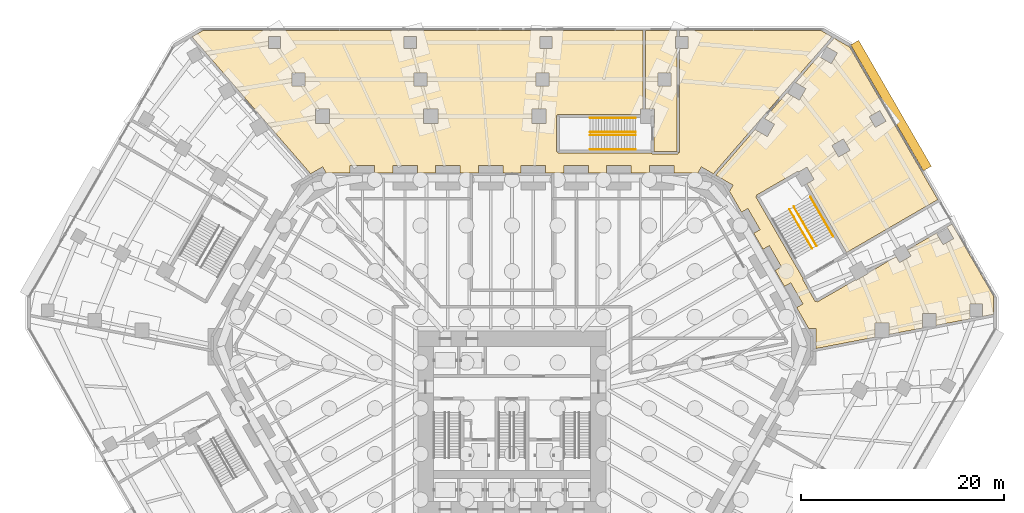
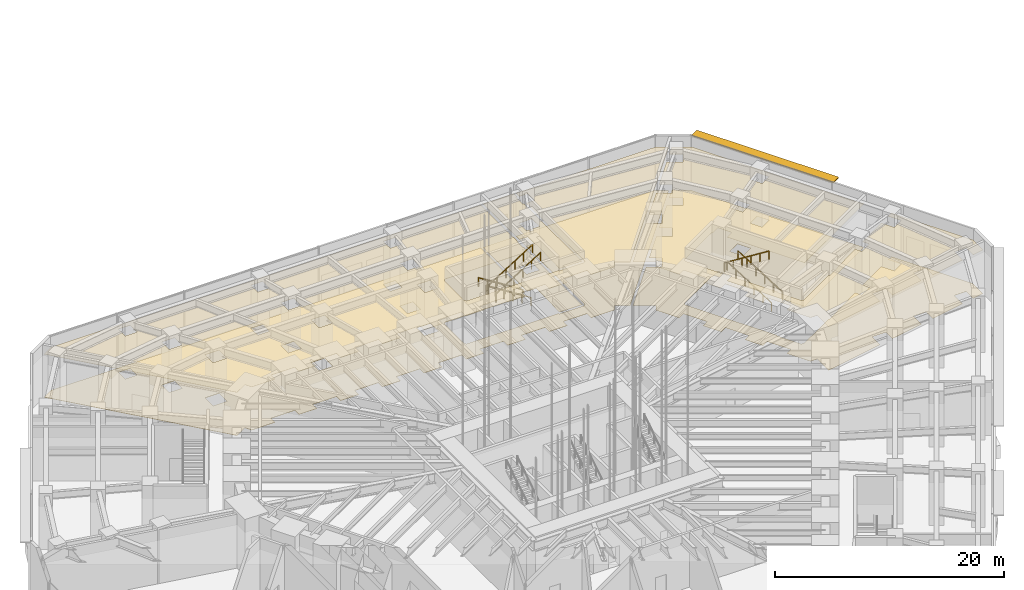
# One storey, part 28 of 34: 7 railings, 6 coverings, 1 shading device.
"""IFC4 building model written with IfcOpenShell, lengths in metres."""

from ifc_helpers import new_model, si_unit, direction, frame, origin, origin_2d, place, context, subcontext, project, spatial, polyline, rectangle, circle, outline, extrude, material, layer, layer_set, type_object, element, save


model = new_model("IFC4")

# Units and contexts
model_context = context("Model", 3, precision=1e-05, world=origin(), true_north=direction((0.0, 1.0)))
body_context = subcontext(model_context, "Body", "Model", "MODEL_VIEW")
ifc_project = project(units=[si_unit("LENGTHUNIT", "METRE"), si_unit("AREAUNIT", "SQUARE_METRE"), si_unit("VOLUMEUNIT", "CUBIC_METRE"), si_unit("PLANEANGLEUNIT", "RADIAN"), si_unit("MASSUNIT", "GRAM", prefix="KILO")], contexts=[model_context])

# Site, building, storey
site_placement = place(None, origin())
site = spatial("IfcSite", under=ifc_project, at=site_placement, CompositionType="ELEMENT")
building_placement = place(site_placement, origin())
building = spatial("IfcBuilding", under=site, at=building_placement, Name="Sandreach Pilgrim Tower", CompositionType="ELEMENT")
storey_placement = place(building_placement, origin())
storey = spatial("IfcBuildingStorey", under=building, at=storey_placement, Name="L00", CompositionType="ELEMENT", Elevation=0.0)

# Coverings
ifc_material_1 = material(Name="Nylon carpet tile on the slab", Category="textile")
ifc_layer_1 = layer(ifc_material_1, 0.008056640625)
ifc_layer_set_1 = layer_set([ifc_layer_1], Name="Carpet tile")
covering_type_1 = type_object("IfcCoveringType", Name="Carpet tile", PredefinedType="FLOORING", material=ifc_layer_set_1)
covering_1_placement = place(storey_placement, origin())
element("IfcCovering", 1, at=covering_1_placement, inside=storey, type_object=covering_type_1, Name="Floor finish 0002 Pilgrim services hall", PredefinedType="FLOORING", context=body_context, shape_type="SweptSolid", body=[
    extrude(outline(polyline([(24.034912109375, 20.7919921875), (28.6865234375, 12.7353515625), (28.621337890625, 12.698486328125), (29.861328125, 10.50830078125), (29.969970703125, 10.570068359375), (30.032470703125, 10.461669921875), (33.833251953125, 12.65625), (33.872802734375, 12.587646484375), (35.085205078125, 13.28759765625), (35.0732421875, 13.30859375), (37.81396484375, 14.954833984375), (38.16259765625, 14.35107421875), (39.288330078125, 15.0009765625), (38.939697265625, 15.60498046875), (41.794677734375, 17.25341796875), (42.4521484375, 16.114501953125), (43.491455078125, 16.71435546875), (42.833740234375, 17.853271484375), (43.327392578125, 18.138427734375), (47.43359375, 11.026123046875), (47.43359375, 9.259521484375), (46.320068359375, 9.044677734375), (46.320068359375, 10.2529296875), (45.1201171875, 10.2529296875), (45.1201171875, 8.81298828125), (41.731689453125, 8.159423828125), (41.731689453125, 9.32373046875), (40.431640625, 9.32373046875), (40.431640625, 7.90869140625), (37.143310546875, 7.274169921875), (37.143310546875, 8.394287109375), (35.743408203125, 8.394287109375), (35.743408203125, 7.004150390625), (29.91259765625, 5.879150390625), (29.91259765625, 7.862060546875), (29.220947265625, 7.862060546875), (28.03076171875, 9.92236328125), (28.6494140625, 10.279541015625), (27.449462890625, 12.358154296875), (26.830078125, 12.00048828125), (25.91845703125, 13.578369140625), (26.538330078125, 13.936279296875), (25.338134765625, 16.0146484375), (24.718017578125, 15.656494140625), (23.806396484375, 17.234375), (24.427001953125, 17.5927734375), (23.22705078125, 19.67138671875), (22.605712890625, 19.3125), (21.416748046875, 21.37060546875), (21.76513671875, 21.97412109375), (20.049560546875, 22.96435546875), (23.93603515625, 27.453369140625), (25.141357421875, 26.75732421875), (25.84130859375, 27.969970703125), (24.869140625, 28.53125), (27.06103515625, 31.06298828125), (28.29052734375, 30.35302734375), (28.9404296875, 31.478759765625), (27.927490234375, 32.063720703125), (30.185791015625, 34.67236328125), (31.439453125, 33.94873046875), (32.039306640625, 34.98779296875), (30.98583984375, 35.59619140625), (31.72802734375, 36.45361328125), (33.24853515625, 35.57568359375), (41.932373046875, 20.5546875), (32.953857421875, 15.343994140625), (29.0419921875, 22.11962890625), (29.750244140625, 22.528564453125), (29.050048828125, 23.740966796875), (28.298583984375, 23.30712890625), (28.16015625, 23.346923828125), (24.08984375, 20.996826171875), (24.034912109375, 20.7919921875)]), holes=[polyline([(36.220703125, 29.307373046875), (35.181640625, 28.70751953125), (35.781494140625, 27.668212890625), (36.82080078125, 28.268310546875), (36.220703125, 29.307373046875)]), polyline([(32.635498046875, 26.524169921875), (31.509521484375, 25.874267578125), (32.15966796875, 24.748291015625), (33.285400390625, 25.3984375), (32.635498046875, 26.524169921875)])]), origin(), (0.0, 0.0, 1.0), 0.008056640625),
])
covering_2_placement = place(storey_placement, origin())
element("IfcCovering", 2, at=covering_2_placement, inside=storey, type_object=covering_type_1, Name="Floor finish 00E7 Stair ST7 exit passageway", PredefinedType="FLOORING", context=body_context, shape_type="SweptSolid", body=[
    extrude(outline(polyline([(14.017578125, 28.05078125), (14.036865234375, 28.05078125), (14.036865234375, 29.450927734375), (13.135009765625, 29.450927734375), (13.135009765625, 37.195556640625), (16.22509765625, 37.195556640625), (16.22509765625, 36.62548828125), (16.111328125, 36.62548828125), (16.111328125, 35.425537109375), (16.22509765625, 35.425537109375), (16.22509765625, 25.304931640625), (13.979736328125, 25.304931640625), (14.017578125, 28.05078125)]), holes=[polyline([(14.374267578125, 33.0380859375), (14.374267578125, 31.73828125), (15.674072265625, 31.73828125), (15.674072265625, 33.0380859375), (14.374267578125, 33.0380859375)])]), origin(), (0.0, 0.0, 1.0), 0.008056640625),
])
ifc_material_2 = material(Name="Gypsum board suspended ceiling on a steel grid", Category="steel")
ifc_layer_2 = layer(ifc_material_2, 0.012939453125)
ifc_layer_set_2 = layer_set([ifc_layer_2], Name="Gypsum board suspended ceiling")
covering_type_2 = type_object("IfcCoveringType", Name="Gypsum board suspended ceiling", PredefinedType="CEILING", material=ifc_layer_set_2)
covering_3_placement = place(storey_placement, frame((0.0, 0.0, 4.64990234375)))
element("IfcCovering", 3, at=covering_3_placement, inside=storey, type_object=covering_type_2, Name="Ceiling 0002 Pilgrim services hall", PredefinedType="CEILING", context=body_context, shape_type="SweptSolid", body=[
    extrude(outline(polyline([(24.034912109375, 20.7919921875), (28.6865234375, 12.7353515625), (28.621337890625, 12.698486328125), (29.861328125, 10.50830078125), (29.969970703125, 10.570068359375), (30.032470703125, 10.461669921875), (33.833251953125, 12.65625), (33.872802734375, 12.587646484375), (35.085205078125, 13.28759765625), (35.0732421875, 13.30859375), (37.81396484375, 14.954833984375), (38.16259765625, 14.35107421875), (39.288330078125, 15.0009765625), (38.939697265625, 15.60498046875), (41.794677734375, 17.25341796875), (42.4521484375, 16.114501953125), (43.491455078125, 16.71435546875), (42.833740234375, 17.853271484375), (43.327392578125, 18.138427734375), (47.43359375, 11.026123046875), (47.43359375, 9.259521484375), (46.320068359375, 9.044677734375), (46.320068359375, 10.2529296875), (45.1201171875, 10.2529296875), (45.1201171875, 8.81298828125), (41.731689453125, 8.159423828125), (41.731689453125, 9.32373046875), (40.431640625, 9.32373046875), (40.431640625, 7.90869140625), (37.143310546875, 7.274169921875), (37.143310546875, 8.394287109375), (35.743408203125, 8.394287109375), (35.743408203125, 7.004150390625), (29.91259765625, 5.879150390625), (29.91259765625, 7.862060546875), (29.220947265625, 7.862060546875), (28.03076171875, 9.92236328125), (28.6494140625, 10.279541015625), (27.449462890625, 12.358154296875), (26.830078125, 12.00048828125), (25.91845703125, 13.578369140625), (26.538330078125, 13.936279296875), (25.338134765625, 16.0146484375), (24.718017578125, 15.656494140625), (23.806396484375, 17.234375), (24.427001953125, 17.5927734375), (23.22705078125, 19.67138671875), (22.605712890625, 19.3125), (21.416748046875, 21.37060546875), (21.76513671875, 21.97412109375), (20.049560546875, 22.96435546875), (23.93603515625, 27.453369140625), (25.141357421875, 26.75732421875), (25.84130859375, 27.969970703125), (24.869140625, 28.53125), (27.06103515625, 31.06298828125), (28.29052734375, 30.35302734375), (28.9404296875, 31.478759765625), (27.927490234375, 32.063720703125), (30.185791015625, 34.67236328125), (31.439453125, 33.94873046875), (32.039306640625, 34.98779296875), (30.98583984375, 35.59619140625), (31.72802734375, 36.45361328125), (33.24853515625, 35.57568359375), (41.932373046875, 20.5546875), (32.953857421875, 15.343994140625), (29.0419921875, 22.11962890625), (29.750244140625, 22.528564453125), (29.050048828125, 23.740966796875), (28.298583984375, 23.30712890625), (28.16015625, 23.346923828125), (24.08984375, 20.996826171875), (24.034912109375, 20.7919921875)]), holes=[polyline([(36.82080078125, 28.268310546875), (36.220703125, 29.307373046875), (35.181640625, 28.70751953125), (35.781494140625, 27.668212890625), (36.82080078125, 28.268310546875)]), polyline([(33.285400390625, 25.3984375), (32.635498046875, 26.524169921875), (31.509521484375, 25.874267578125), (32.15966796875, 24.748291015625), (33.285400390625, 25.3984375)])]), origin(), (0.0, 0.0, 1.0), 0.01318359375),
])
covering_4_placement = place(storey_placement, frame((0.0, 0.0, 4.64990234375)))
element("IfcCovering", 4, at=covering_4_placement, inside=storey, type_object=covering_type_2, Name="Ceiling 00E7 Stair ST7 exit passageway", PredefinedType="CEILING", context=body_context, shape_type="SweptSolid", body=[
    extrude(outline(polyline([(14.017578125, 28.05078125), (14.036865234375, 28.05078125), (14.036865234375, 29.450927734375), (13.135009765625, 29.450927734375), (13.135009765625, 37.195556640625), (16.22509765625, 37.195556640625), (16.22509765625, 36.62548828125), (16.111328125, 36.62548828125), (16.111328125, 35.425537109375), (16.22509765625, 35.425537109375), (16.22509765625, 25.304931640625), (13.979736328125, 25.304931640625), (14.017578125, 28.05078125)]), holes=[polyline([(14.374267578125, 33.0380859375), (14.374267578125, 31.73828125), (15.674072265625, 31.73828125), (15.674072265625, 33.0380859375), (14.374267578125, 33.0380859375)])]), origin(), (0.0, 0.0, 1.0), 0.01318359375),
])

# Shading device
ifc_material_3 = material(Name="Extruded aluminium sunshade blade, powder coated", Category="aluminium")
ifc_layer_3 = layer(ifc_material_3, 0.10009765625)
ifc_layer_set_3 = layer_set([ifc_layer_3], Name="Podium sunshade 900")
shading_device_type = type_object("IfcShadingDeviceType", Name="Podium sunshade 900", PredefinedType="AWNING", material=ifc_layer_set_3)
shading_device_placement = place(storey_placement, frame((37.325927734375, 29.813232421875, 5.64990234375), z_axis=(0.0, 0.0, 1.0), x_axis=(0.500000000045, -0.866025403758, 0.0)))
element("IfcShadingDevice", 5, at=shading_device_placement, inside=storey, type_object=shading_device_type, Name="Sunshade L00 NE over NEA", PredefinedType="AWNING", context=body_context, shape_type="SweptSolid", body=[
    extrude(rectangle(XDim=14.31201171875, YDim=0.89990234375, at=origin_2d()), origin(), (0.0, 0.0, 1.0), 0.10009765625),
])

# Railings
ifc_material_4 = material(Name="Stainless steel tube", Category="steel")
railing_type = type_object("IfcRailingType", Name="Stair handrail", PredefinedType="HANDRAIL", material=ifc_material_4)
for number, where, name in (
    (6, (29.991455078125, 15.974853515625, 0.176513671875), "Handrail ST4 L00 flight 1"),
    (7, (31.636962890625, 16.9248046875, 0.176513671875), "Handrail ST4 L00 flight 1"),
):
    element("IfcRailing", number, at=place(storey_placement, frame(where)), inside=storey, type_object=railing_type, Name=name, PredefinedType="HANDRAIL", context=body_context, shape_type="SweptSolid", body=[
        extrude(circle(Radius=0.02392578125, at=origin_2d()), frame((0.0, 0.0, 0.8759765625), z_axis=(-0.42299277051, 0.732664971003, 0.533178353237), x_axis=(-0.866031314237, -0.499989762656, 0.0)), (0.0, 0.0, 1.0), 5.295654296875),
        extrude(circle(Radius=0.02099609375, at=origin_2d()), origin(), (0.0, 0.0, 1.0), 0.851806640625),
        extrude(circle(Radius=0.02099609375, at=origin_2d()), frame((-0.447998046875, 0.77587890625, 0.564697265625)), (0.0, 0.0, 1.0), 0.851806640625),
        extrude(circle(Radius=0.02099609375, at=origin_2d()), frame((-0.89599609375, 1.552001953125, 1.12939453125)), (0.0, 0.0, 1.0), 0.851806640625),
        extrude(circle(Radius=0.02099609375, at=origin_2d()), frame((-1.343994140625, 2.327880859375, 1.694091796875)), (0.0, 0.0, 1.0), 0.851806640625),
        extrude(circle(Radius=0.02099609375, at=origin_2d()), frame((-1.7919921875, 3.10400390625, 2.2587890625)), (0.0, 0.0, 1.0), 0.851806640625),
        extrude(circle(Radius=0.02099609375, at=origin_2d()), frame((-2.239990234375, 3.8798828125, 2.823486328125)), (0.0, 0.0, 1.0), 0.851806640625),
    ])
railing_placement = place(storey_placement, frame((27.318603515625, 19.604736328125, 3.176513671875)))
element("IfcRailing", 8, at=railing_placement, inside=storey, type_object=railing_type, Name="Handrail ST4 L00 flight 2", PredefinedType="HANDRAIL", context=body_context, shape_type="SweptSolid", body=[
    extrude(circle(Radius=0.02392578125, at=origin_2d()), frame((0.0, 0.0, 0.8759765625), z_axis=(0.42299277051, -0.732664971003, 0.533178353237), x_axis=(0.866031314237, 0.499989762656, 0.0)), (0.0, 0.0, 1.0), 5.295654296875),
    extrude(circle(Radius=0.02099609375, at=origin_2d()), origin(), (0.0, 0.0, 1.0), 0.851806640625),
    extrude(circle(Radius=0.02099609375, at=origin_2d()), frame((0.447998046875, -0.77587890625, 0.564697265625)), (0.0, 0.0, 1.0), 0.851806640625),
    extrude(circle(Radius=0.02099609375, at=origin_2d()), frame((0.89599609375, -1.552001953125, 1.12939453125)), (0.0, 0.0, 1.0), 0.851806640625),
    extrude(circle(Radius=0.02099609375, at=origin_2d()), frame((1.343994140625, -2.327880859375, 1.694091796875)), (0.0, 0.0, 1.0), 0.851806640625),
    extrude(circle(Radius=0.02099609375, at=origin_2d()), frame((1.7919921875, -3.10400390625, 2.2587890625)), (0.0, 0.0, 1.0), 0.851806640625),
    extrude(circle(Radius=0.02099609375, at=origin_2d()), frame((2.239990234375, -3.8798828125, 2.823486328125)), (0.0, 0.0, 1.0), 0.851806640625),
])
for number, where, name in (
    (9, (12.1796875, 27.19873046875, 0.176513671875), "Handrail ST7 L00 flight 1"),
    (10, (12.1796875, 28.5986328125, 0.176513671875), "Handrail ST7 L00 flight 1"),
):
    element("IfcRailing", number, at=place(storey_placement, frame(where)), inside=storey, type_object=railing_type, Name=name, PredefinedType="HANDRAIL", context=body_context, shape_type="SweptSolid", body=[
        extrude(circle(Radius=0.02392578125, at=origin_2d()), frame((0.0, 0.0, 0.8759765625), z_axis=(-0.845997938375, 0.0, 0.533186166611), x_axis=(0.0, -1.0, 0.0)), (0.0, 0.0, 1.0), 5.29541015625),
        extrude(circle(Radius=0.02099609375, at=origin_2d()), origin(), (0.0, 0.0, 1.0), 0.851806640625),
        extrude(circle(Radius=0.02099609375, at=origin_2d()), frame((-0.89599609375, 0.0, 0.564697265625)), (0.0, 0.0, 1.0), 0.851806640625),
        extrude(circle(Radius=0.02099609375, at=origin_2d()), frame((-1.7919921875, 0.0, 1.12939453125)), (0.0, 0.0, 1.0), 0.851806640625),
        extrude(circle(Radius=0.02099609375, at=origin_2d()), frame((-2.68798828125, 0.0, 1.694091796875)), (0.0, 0.0, 1.0), 0.851806640625),
        extrude(circle(Radius=0.02099609375, at=origin_2d()), frame((-3.583984375, 0.0, 2.2587890625)), (0.0, 0.0, 1.0), 0.851806640625),
        extrude(circle(Radius=0.02099609375, at=origin_2d()), frame((-4.47998046875, 0.0, 2.823486328125)), (0.0, 0.0, 1.0), 0.851806640625),
    ])
for number, where, name in (
    (11, (7.69970703125, 26.898681640625, 3.176513671875), "Handrail ST7 L00 flight 2"),
    (12, (7.69970703125, 25.498779296875, 3.176513671875), "Handrail ST7 L00 flight 2"),
):
    element("IfcRailing", number, at=place(storey_placement, frame(where)), inside=storey, type_object=railing_type, Name=name, PredefinedType="HANDRAIL", context=body_context, shape_type="SweptSolid", body=[
        extrude(circle(Radius=0.02392578125, at=origin_2d()), frame((0.0, 0.0, 0.8759765625), z_axis=(0.845997938375, 0.0, 0.533186166611), x_axis=(0.0, 1.0, 0.0)), (0.0, 0.0, 1.0), 5.29541015625),
        extrude(circle(Radius=0.02099609375, at=origin_2d()), origin(), (0.0, 0.0, 1.0), 0.851806640625),
        extrude(circle(Radius=0.02099609375, at=origin_2d()), frame((0.89599609375, 0.0, 0.564697265625)), (0.0, 0.0, 1.0), 0.851806640625),
        extrude(circle(Radius=0.02099609375, at=origin_2d()), frame((1.7919921875, 0.0, 1.12939453125)), (0.0, 0.0, 1.0), 0.851806640625),
        extrude(circle(Radius=0.02099609375, at=origin_2d()), frame((2.68798828125, 0.0, 1.694091796875)), (0.0, 0.0, 1.0), 0.851806640625),
        extrude(circle(Radius=0.02099609375, at=origin_2d()), frame((3.583984375, 0.0, 2.2587890625)), (0.0, 0.0, 1.0), 0.851806640625),
        extrude(circle(Radius=0.02099609375, at=origin_2d()), frame((4.47998046875, 0.0, 2.823486328125)), (0.0, 0.0, 1.0), 0.851806640625),
    ])

# Coverings
ifc_material_5 = material(Name="Honed limestone paving on a mortar bed", Category="masonry")
ifc_layer_4 = layer(ifc_material_5, 0.030029296875)
ifc_layer_set_4 = layer_set([ifc_layer_4], Name="Stone paving")
covering_type_3 = type_object("IfcCoveringType", Name="Stone paving", PredefinedType="FLOORING", material=ifc_layer_set_4)
covering_5_placement = place(storey_placement, origin())
element("IfcCovering", 13, at=covering_5_placement, inside=storey, type_object=covering_type_3, Name="Floor finish 0001 Concourse", PredefinedType="FLOORING", context=body_context, shape_type="SweptSolid", body=[
    extrude(outline(polyline([(-30.460205078125, 37.185546875), (12.885009765625, 37.195556640625), (12.885009765625, 29.450927734375), (12.636962890625, 29.450927734375), (12.636962890625, 28.94873046875), (4.52978515625, 28.94873046875), (4.379638671875, 28.798828125), (4.379638671875, 25.298828125), (4.52978515625, 25.148681640625), (13.81005859375, 25.148681640625), (13.81005859375, 25.054931640625), (16.35009765625, 25.054931640625), (16.35009765625, 25.179931640625), (16.47509765625, 25.179931640625), (16.47509765625, 35.425537109375), (17.3115234375, 35.425537109375), (17.3115234375, 36.62548828125), (16.47509765625, 36.62548828125), (16.47509765625, 37.195556640625), (30.460205078125, 37.185546875), (31.507568359375, 36.580810546875), (24.648681640625, 28.658447265625), (24.62890625, 28.669921875), (24.56982421875, 28.5673828125), (19.8291015625, 23.091796875), (18.6474609375, 23.77392578125), (18.301513671875, 23.175048828125), (15.934814453125, 23.175048828125), (15.934814453125, 23.888671875), (13.53466796875, 23.888671875), (13.53466796875, 23.175048828125), (11.724853515625, 23.175048828125), (11.724853515625, 23.888671875), (9.32470703125, 23.888671875), (9.32470703125, 23.175048828125), (7.514892578125, 23.175048828125), (7.514892578125, 23.888671875), (5.114990234375, 23.888671875), (5.114990234375, 23.175048828125), (3.304931640625, 23.175048828125), (3.304931640625, 23.888671875), (0.905029296875, 23.888671875), (0.905029296875, 23.175048828125), (-0.905029296875, 23.175048828125), (-0.905029296875, 23.888671875), (-3.304931640625, 23.888671875), (-3.304931640625, 23.175048828125), (-5.114990234375, 23.175048828125), (-5.114990234375, 23.888671875), (-7.514892578125, 23.888671875), (-7.514892578125, 23.175048828125), (-9.32470703125, 23.175048828125), (-9.32470703125, 23.888671875), (-11.724853515625, 23.888671875), (-11.724853515625, 23.175048828125), (-13.53466796875, 23.175048828125), (-13.53466796875, 23.888671875), (-15.934814453125, 23.888671875), (-15.934814453125, 23.175048828125), (-18.301513671875, 23.175048828125), (-18.6474609375, 23.77392578125), (-19.8291015625, 23.091796875), (-24.56982421875, 28.5673828125), (-24.62890625, 28.669921875), (-24.648681640625, 28.658447265625), (-31.507568359375, 36.580810546875), (-30.460205078125, 37.185546875)]), holes=[polyline([(2.7421875, 36.62548828125), (2.7421875, 35.425537109375), (3.9423828125, 35.425537109375), (3.9423828125, 36.62548828125), (2.7421875, 36.62548828125)]), polyline([(2.354736328125, 33.0380859375), (2.354736328125, 31.73828125), (3.65478515625, 31.73828125), (3.65478515625, 33.0380859375), (2.354736328125, 33.0380859375)]), polyline([(1.96728515625, 29.450927734375), (1.96728515625, 28.05078125), (3.367431640625, 28.05078125), (3.367431640625, 29.450927734375), (1.96728515625, 29.450927734375)]), polyline([(-8.7021484375, 29.450927734375), (-8.7021484375, 28.05078125), (-7.30224609375, 28.05078125), (-7.30224609375, 29.450927734375), (-8.7021484375, 29.450927734375)]), polyline([(-8.364501953125, 33.0380859375), (-9.66455078125, 33.0380859375), (-9.66455078125, 31.73828125), (-8.364501953125, 31.73828125), (-8.364501953125, 33.0380859375)]), polyline([(-9.4267578125, 36.62548828125), (-10.626953125, 36.62548828125), (-10.626953125, 35.425537109375), (-9.4267578125, 35.425537109375), (-9.4267578125, 36.62548828125)]), polyline([(-19.37158203125, 29.450927734375), (-19.37158203125, 28.05078125), (-17.9716796875, 28.05078125), (-17.9716796875, 29.450927734375), (-19.37158203125, 29.450927734375)]), polyline([(-21.683837890625, 33.0380859375), (-21.683837890625, 31.73828125), (-20.3837890625, 31.73828125), (-20.3837890625, 33.0380859375), (-21.683837890625, 33.0380859375)]), polyline([(-23.99609375, 36.62548828125), (-23.99609375, 35.425537109375), (-22.7958984375, 35.425537109375), (-22.7958984375, 36.62548828125), (-23.99609375, 36.62548828125)])]), origin(), (0.0, 0.0, 1.0), 0.030029296875),
])
ifc_material_6 = material(Name="Timber slat acoustic ceiling on a suspension grid", Category="wood")
ifc_layer_5 = layer(ifc_material_6, 0.02490234375)
ifc_layer_set_5 = layer_set([ifc_layer_5], Name="Timber slat acoustic ceiling")
covering_type_4 = type_object("IfcCoveringType", Name="Timber slat acoustic ceiling", PredefinedType="CEILING", material=ifc_layer_set_5)
covering_6_placement = place(storey_placement, frame((0.0, 0.0, 4.60009765625)))
element("IfcCovering", 14, at=covering_6_placement, inside=storey, type_object=covering_type_4, Name="Ceiling 0001 Concourse", PredefinedType="CEILING", context=body_context, shape_type="SweptSolid", body=[
    extrude(outline(polyline([(-30.460205078125, 37.185546875), (12.885009765625, 37.195556640625), (12.885009765625, 29.450927734375), (12.636962890625, 29.450927734375), (12.636962890625, 28.94873046875), (4.52978515625, 28.94873046875), (4.379638671875, 28.798828125), (4.379638671875, 25.298828125), (4.52978515625, 25.148681640625), (13.81005859375, 25.148681640625), (13.81005859375, 25.054931640625), (16.35009765625, 25.054931640625), (16.35009765625, 25.179931640625), (16.47509765625, 25.179931640625), (16.47509765625, 35.425537109375), (17.3115234375, 35.425537109375), (17.3115234375, 36.62548828125), (16.47509765625, 36.62548828125), (16.47509765625, 37.195556640625), (30.460205078125, 37.185546875), (31.507568359375, 36.580810546875), (24.648681640625, 28.658447265625), (24.62890625, 28.669921875), (24.56982421875, 28.5673828125), (19.8291015625, 23.091796875), (18.6474609375, 23.77392578125), (18.301513671875, 23.175048828125), (15.934814453125, 23.175048828125), (15.934814453125, 23.888671875), (13.53466796875, 23.888671875), (13.53466796875, 23.175048828125), (11.724853515625, 23.175048828125), (11.724853515625, 23.888671875), (9.32470703125, 23.888671875), (9.32470703125, 23.175048828125), (7.514892578125, 23.175048828125), (7.514892578125, 23.888671875), (5.114990234375, 23.888671875), (5.114990234375, 23.175048828125), (3.304931640625, 23.175048828125), (3.304931640625, 23.888671875), (0.905029296875, 23.888671875), (0.905029296875, 23.175048828125), (-0.905029296875, 23.175048828125), (-0.905029296875, 23.888671875), (-3.304931640625, 23.888671875), (-3.304931640625, 23.175048828125), (-5.114990234375, 23.175048828125), (-5.114990234375, 23.888671875), (-7.514892578125, 23.888671875), (-7.514892578125, 23.175048828125), (-9.32470703125, 23.175048828125), (-9.32470703125, 23.888671875), (-11.724853515625, 23.888671875), (-11.724853515625, 23.175048828125), (-13.53466796875, 23.175048828125), (-13.53466796875, 23.888671875), (-15.934814453125, 23.888671875), (-15.934814453125, 23.175048828125), (-18.301513671875, 23.175048828125), (-18.6474609375, 23.77392578125), (-19.8291015625, 23.091796875), (-24.56982421875, 28.5673828125), (-24.62890625, 28.669921875), (-24.648681640625, 28.658447265625), (-31.507568359375, 36.580810546875), (-30.460205078125, 37.185546875)]), holes=[polyline([(3.9423828125, 36.62548828125), (2.7421875, 36.62548828125), (2.7421875, 35.425537109375), (3.9423828125, 35.425537109375), (3.9423828125, 36.62548828125)]), polyline([(3.65478515625, 33.0380859375), (2.354736328125, 33.0380859375), (2.354736328125, 31.73828125), (3.65478515625, 31.73828125), (3.65478515625, 33.0380859375)]), polyline([(1.96728515625, 29.450927734375), (1.96728515625, 28.05078125), (3.367431640625, 28.05078125), (3.367431640625, 29.450927734375), (1.96728515625, 29.450927734375)]), polyline([(-8.7021484375, 29.450927734375), (-8.7021484375, 28.05078125), (-7.30224609375, 28.05078125), (-7.30224609375, 29.450927734375), (-8.7021484375, 29.450927734375)]), polyline([(-9.66455078125, 33.0380859375), (-9.66455078125, 31.73828125), (-8.364501953125, 31.73828125), (-8.364501953125, 33.0380859375), (-9.66455078125, 33.0380859375)]), polyline([(-10.626953125, 36.62548828125), (-10.626953125, 35.425537109375), (-9.4267578125, 35.425537109375), (-9.4267578125, 36.62548828125), (-10.626953125, 36.62548828125)]), polyline([(-19.37158203125, 29.450927734375), (-19.37158203125, 28.05078125), (-17.9716796875, 28.05078125), (-17.9716796875, 29.450927734375), (-19.37158203125, 29.450927734375)]), polyline([(-21.683837890625, 33.0380859375), (-21.683837890625, 31.73828125), (-20.3837890625, 31.73828125), (-20.3837890625, 33.0380859375), (-21.683837890625, 33.0380859375)]), polyline([(-23.99609375, 36.62548828125), (-23.99609375, 35.425537109375), (-22.7958984375, 35.425537109375), (-22.7958984375, 36.62548828125), (-23.99609375, 36.62548828125)])]), origin(), (0.0, 0.0, 1.0), 0.02490234375),
])

save(model, "model.ifc")
